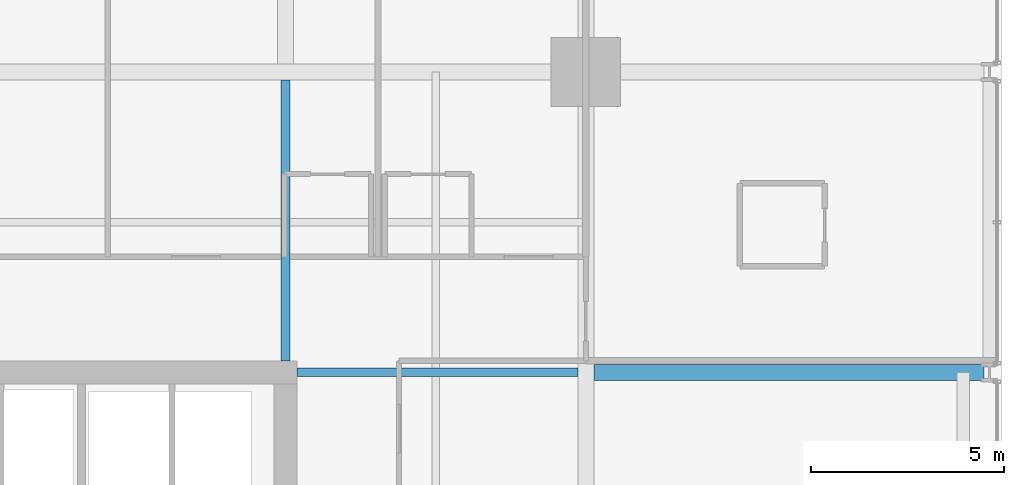
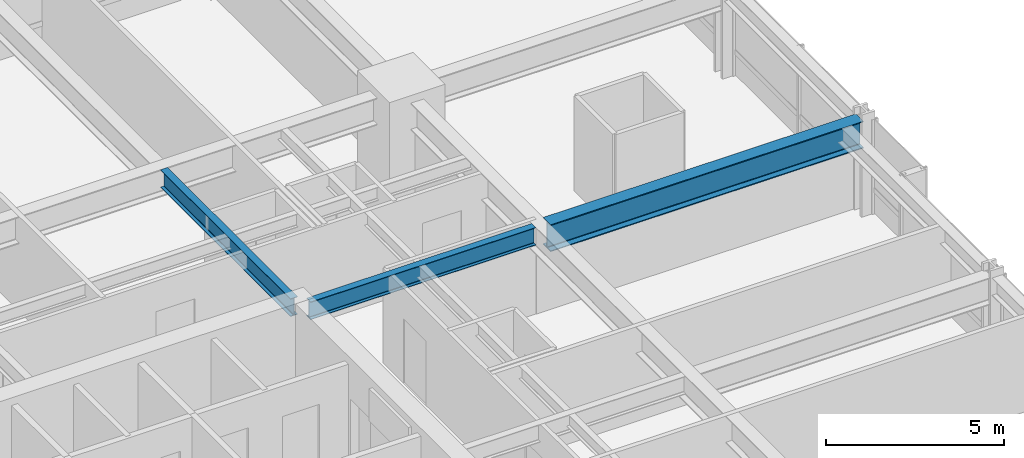
# One storey, part 24 of 39: 3 beams.
"""IFC4 building model written with IfcOpenShell, lengths in metres."""

from ifc_helpers import new_model, si_unit, direction, frame, origin, origin_2d, place, context, subcontext, project, spatial, i_section, extrude, material, material_profile, profile_set, type_object, element, save


model = new_model("IFC4")

# Units and contexts
model_context = context("Model", 3, precision=1e-05, world=origin(), true_north=direction((0.0, 1.0)))
body_context = subcontext(model_context, "Body", "Model", "MODEL_VIEW")
ifc_project = project(units=[si_unit("LENGTHUNIT", "METRE"), si_unit("AREAUNIT", "SQUARE_METRE"), si_unit("VOLUMEUNIT", "CUBIC_METRE"), si_unit("PLANEANGLEUNIT", "RADIAN"), si_unit("MASSUNIT", "GRAM", prefix="KILO")], contexts=[model_context])

# Site, building, storey
site_placement = place(None, origin())
site = spatial("IfcSite", under=ifc_project, at=site_placement, CompositionType="ELEMENT")
building_placement = place(site_placement, origin())
building = spatial("IfcBuilding", under=site, at=building_placement, Name="Drelvath Grand Hotel", CompositionType="ELEMENT")
storey_placement = place(building_placement, frame((0.0, 0.0, 54.199951171875)))
storey = spatial("IfcBuildingStorey", under=building, at=storey_placement, Name="L12", CompositionType="ELEMENT", Elevation=54.199951171875)

# Beams
ifc_material = material(Name="Steel ASTM A992 Gr 50", Category="steel")
ifc_material_profile_1 = material_profile(ifc_material, i_section(OverallWidth=0.228271484375, OverallDepth=0.607666015625, WebThickness=0.01123046875, FlangeThickness=0.017333984375, FilletRadius=0.02001953125, at=origin_2d()), Name="W24X76")
ifc_profile_set_1 = profile_set([ifc_material_profile_1], Name="Steel ASTM A992 Gr 50")
beam_type_1 = type_object("IfcBeamType", Name="Primary Floor Girder W24X76", PredefinedType="BEAM", material=ifc_profile_set_1)
for number, where, z_axis, x_axis, name in (
    (1, (8.699951171875, 35.39990234375, 2.936279296875), (1.0, 0.0, 0.0), (0.0, 1.0, 0.0), "L12 East Core Tie F"),
    (2, (8.39990234375, 35.699951171875, 2.936279296875), (0.0, 1.0, 0.0), (-1.0, 0.0, 0.0), "L12 North Core Tie 6"),
):
    element("IfcBeam", number, at=place(storey_placement, frame(where, z_axis=z_axis, x_axis=x_axis)), inside=storey, type_object=beam_type_1, Name=name, PredefinedType="BEAM", context=body_context, shape_type="SweptSolid", body=[
        extrude(i_section(OverallWidth=0.228271484375, OverallDepth=0.607666015625, WebThickness=0.01123046875, FlangeThickness=0.017333984375, FilletRadius=0.02001953125, at=origin_2d()), origin(), (0.0, 0.0, 1.0), 7.290771484375),
    ])
ifc_material_profile_2 = material_profile(ifc_material, i_section(OverallWidth=0.418212890625, OverallDepth=0.926513671875, WebThickness=0.019287109375, FlangeThickness=0.031982421875, FilletRadius=0.028076171875, at=origin_2d()), Name="W36X231")
ifc_profile_set_2 = profile_set([ifc_material_profile_2], Name="Steel ASTM A992 Gr 50")
beam_type_2 = type_object("IfcBeamType", Name="Primary Floor Girder W36X231", PredefinedType="BEAM", material=ifc_profile_set_2)
beam_placement = place(storey_placement, frame((16.4091796875, 35.39990234375, 2.77685546875), z_axis=(1.0, 0.0, 0.0), x_axis=(0.0, 1.0, 0.0)))
element("IfcBeam", 3, at=beam_placement, inside=storey, type_object=beam_type_2, Name="L12 East Wing Girder F", PredefinedType="BEAM", context=body_context, shape_type="SweptSolid", body=[
    extrude(i_section(OverallWidth=0.418212890625, OverallDepth=0.926513671875, WebThickness=0.019287109375, FlangeThickness=0.031982421875, FilletRadius=0.028076171875, at=origin_2d()), origin(), (0.0, 0.0, 1.0), 10.130859375),
])

save(model, "model.ifc")
